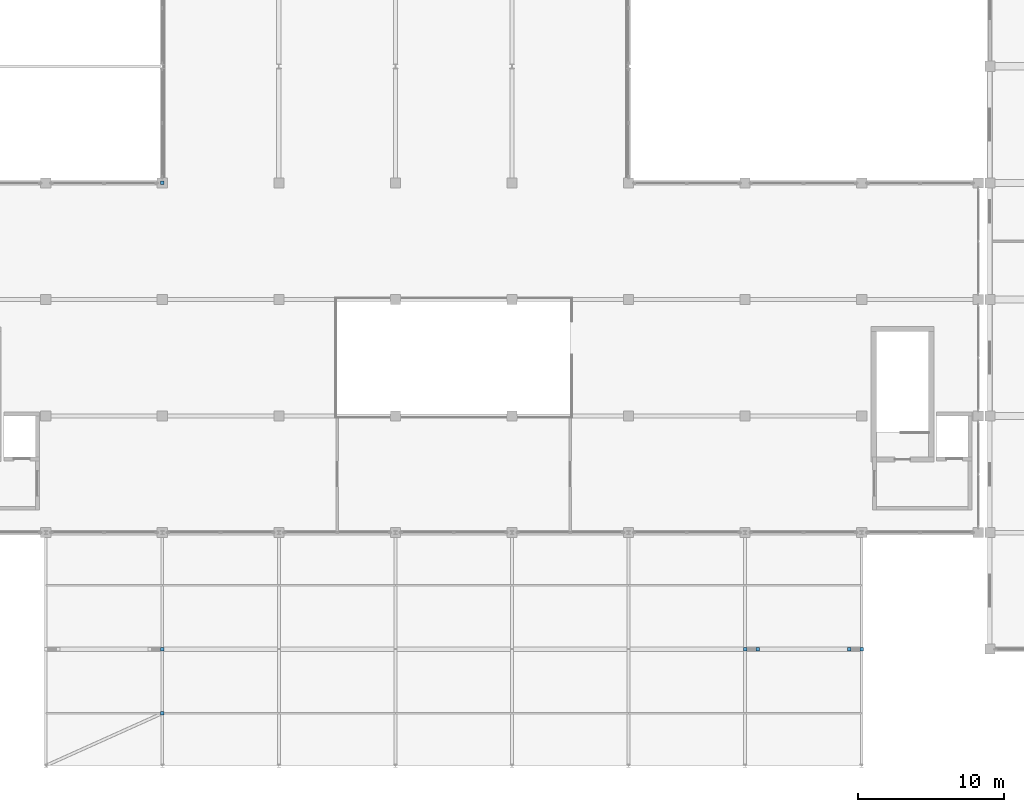
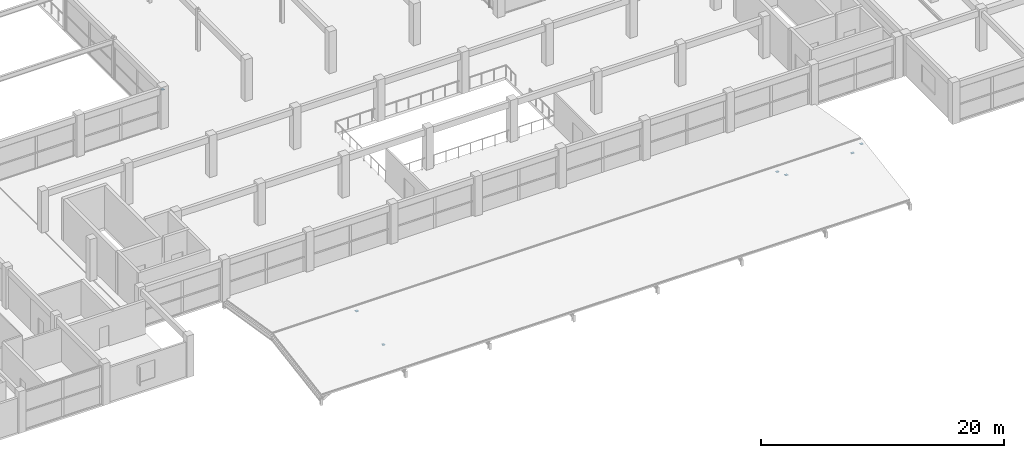
# One storey, part 53 of 67: 7 discrete accessories.
"""IFC4 building model written with IfcOpenShell, lengths in metres."""

from ifc_helpers import new_model, si_unit, direction, frame, origin, origin_2d, place, context, subcontext, project, spatial, rectangle, extrude, material, type_object, element, save


model = new_model("IFC4")

# Units and contexts
model_context = context("Model", 3, precision=1e-05, world=origin(), true_north=direction((0.0, 1.0)))
body_context = subcontext(model_context, "Body", "Model", "MODEL_VIEW")
ifc_project = project(units=[si_unit("LENGTHUNIT", "METRE"), si_unit("AREAUNIT", "SQUARE_METRE"), si_unit("VOLUMEUNIT", "CUBIC_METRE"), si_unit("PLANEANGLEUNIT", "RADIAN"), si_unit("MASSUNIT", "GRAM", prefix="KILO")], contexts=[model_context])

# Site, building, storey
site_placement = place(None, origin())
site = spatial("IfcSite", under=ifc_project, at=site_placement, CompositionType="ELEMENT")
building_placement = place(site_placement, origin())
building = spatial("IfcBuilding", under=site, at=building_placement, Name="Kenh Van Central Station", CompositionType="ELEMENT")
storey_placement = place(building_placement, frame((0.0, 0.0, 10.800048828125)))
storey = spatial("IfcBuildingStorey", under=building, at=storey_placement, Name="L02", CompositionType="ELEMENT", Elevation=10.800048828125)

# Discrete accessories
ifc_material = material(Name="Structural steel S355JR", Category="steel")
discrete_accessory_type = type_object("IfcDiscreteAccessoryType", Name="ACC-END-NODE", PredefinedType="BRACKET", material=ifc_material)
for number, where, z_axis, x_axis, name in (
    (1, (64.0, 3.60009765625, 0.127197265625), (0.0, 0.0, 1.0), (1.0, 0.0, 0.0), "L02 brace end connection node plate 0313"),
    (2, (111.14990234375, 8.0, 0.222412109375), (0.0, 0.0, 1.0), (1.0, 0.0, 0.0), "L02 brace end connection node plate 0315"),
    (3, (64.0, 8.0, 0.84228515625), (0.0, 0.0, 1.0), (1.0, 0.0, 0.0), "L02 brace end connection node plate 0318"),
    (4, (104.85009765625, 8.0, 0.222412109375), (0.0, 0.0, 1.0), (1.0, 0.0, 0.0), "L02 brace end connection node plate 0319"),
    (5, (104.0, 8.0, 0.84228515625), (0.0, 0.0, 1.0), (1.0, 0.0, 0.0), "L02 brace end connection node plate 0320"),
    (6, (112.0, 8.0, 0.84228515625), (0.0, 0.0, 1.0), (1.0, 0.0, 0.0), "L02 brace end connection node plate 0321"),
    (7, (64.0, 40.0, 3.720458984375), (0.0, 0.0, 1.0), (1.0, 0.0, 0.0), "L02 brace end connection node plate 0340"),
):
    element("IfcDiscreteAccessory", number, at=place(storey_placement, frame(where, z_axis=z_axis, x_axis=x_axis)), inside=storey, type_object=discrete_accessory_type, Name=name, PredefinedType="BRACKET", context=body_context, shape_type="SweptSolid", body=[
        extrude(rectangle(XDim=0.239990234375, YDim=0.239990234375, at=origin_2d()), origin(), (0.0, 0.0, 1.0), 0.02490234375),
    ])

save(model, "model.ifc")
